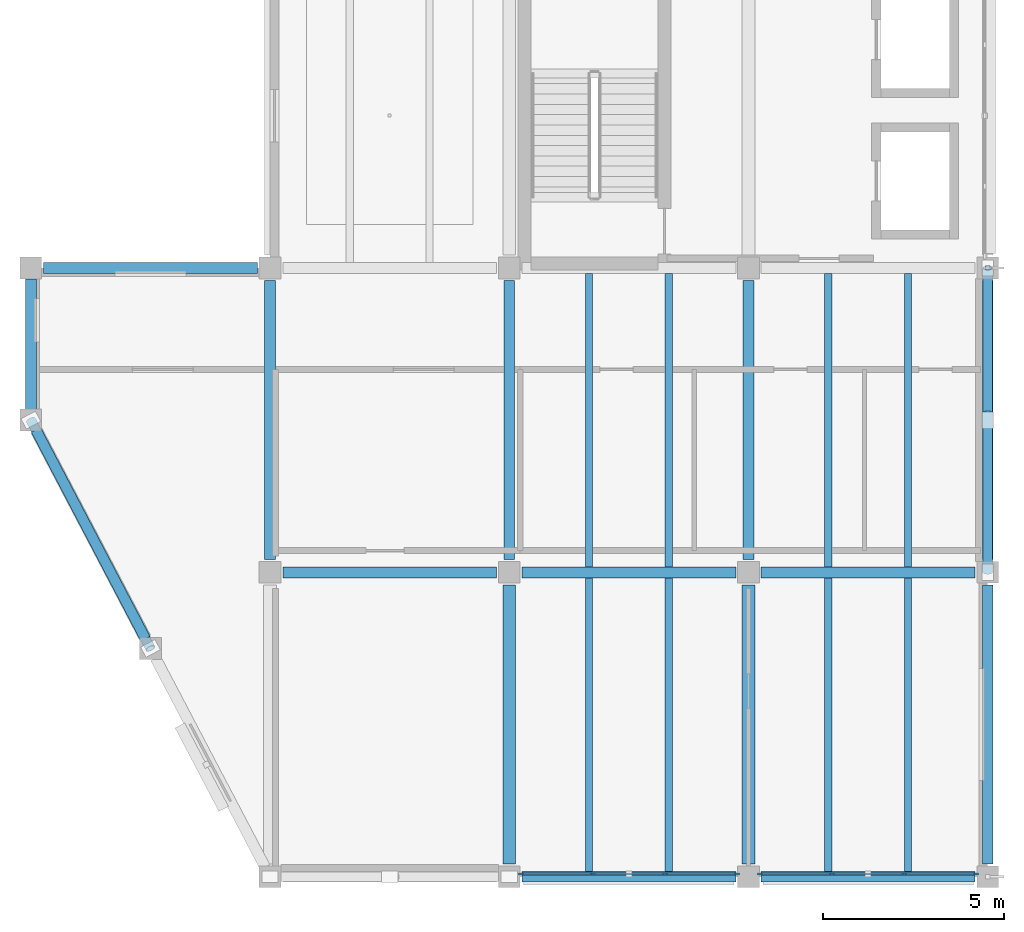
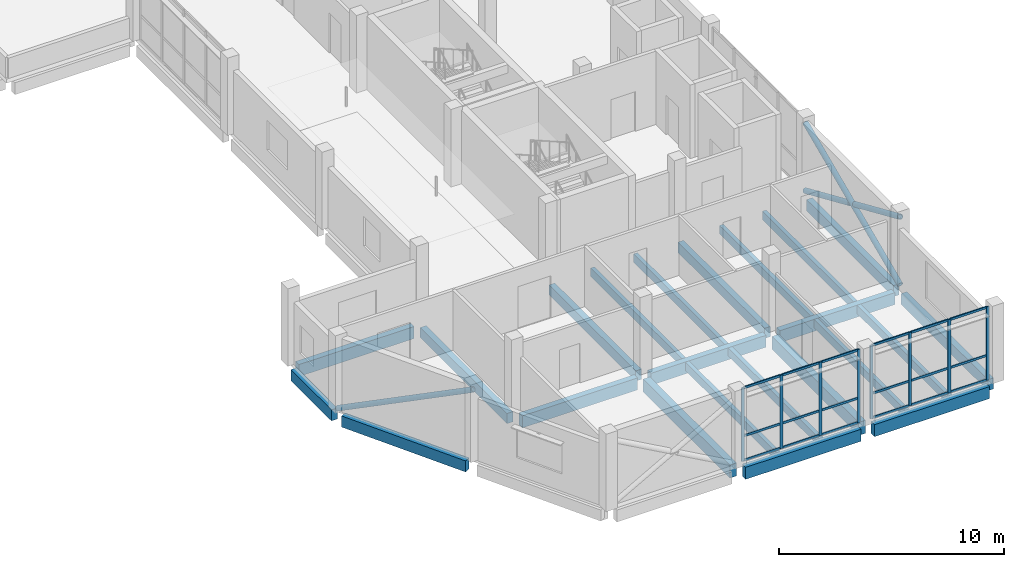
# One storey, part 2 of 12: 30 members, 23 beams, 2 elements without a shape of their own.
"""IFC4 building model written with IfcOpenShell, lengths in metres."""

from ifc_helpers import new_model, si_unit, direction, frame, origin, origin_2d, place, context, subcontext, project, spatial, rectangle, hollow_circle, extrude, material, material_profile, profile_set, type_object, element, aggregate, save


model = new_model("IFC4")

# Units and contexts
model_context = context("Model", 3, precision=1e-05, world=origin(), true_north=direction((0.0, 1.0)))
body_context = subcontext(model_context, "Body", "Model", "MODEL_VIEW")
ifc_project = project(units=[si_unit("LENGTHUNIT", "METRE"), si_unit("AREAUNIT", "SQUARE_METRE"), si_unit("VOLUMEUNIT", "CUBIC_METRE"), si_unit("PLANEANGLEUNIT", "RADIAN"), si_unit("MASSUNIT", "GRAM", prefix="KILO")], contexts=[model_context])

# Site, building, storey
site_placement = place(None, origin())
site = spatial("IfcSite", under=ifc_project, at=site_placement, CompositionType="ELEMENT")
building_placement = place(site_placement, origin())
building = spatial("IfcBuilding", under=site, at=building_placement, Name="Qaldarim Faculty of Natural and Applied Sciences", CompositionType="ELEMENT")
storey_placement = place(building_placement, frame((0.0, 0.0, 31.199951171875)))
storey = spatial("IfcBuildingStorey", under=building, at=storey_placement, Name="L07", CompositionType="ELEMENT", Elevation=31.199951171875)

# Beams
ifc_material_1 = material(Name="Concrete C40/50", Category="concrete")
ifc_material_profile_1 = material_profile(ifc_material_1, rectangle(XDim=0.300048828125, YDim=0.550048828125, at=origin_2d()), Name="RC-B300x550")
ifc_profile_set_1 = profile_set([ifc_material_profile_1], Name="Concrete C40/50")
beam_type_1 = type_object("IfcBeamType", Name="FloorBeam-RC300x550", PredefinedType="BEAM", material=ifc_profile_set_1)
for number, where, z_axis, x_axis, name in (
    (1, (158.39990234375, 8.75, -0.494873046875), (0.0, 1.0, 0.0), (-1.0, 0.0, 0.0), "Beam RC-B300x550 L06 X25/Y02-Y03"),
    (2, (165.0, 8.75, -0.494873046875), (0.0, 1.0, 0.0), (-1.0, 0.0, 0.0), "Beam RC-B300x550 L06 X26/Y02-Y03"),
    (3, (171.60009765625, 8.75, -0.494873046875), (0.0, 1.0, 0.0), (-1.0, 0.0, 0.0), "Beam RC-B300x550 L06 X27/Y02-Y03"),
):
    element("IfcBeam", number, at=place(storey_placement, frame(where, z_axis=z_axis, x_axis=x_axis)), inside=storey, type_object=beam_type_1, Name=name, PredefinedType="BEAM", context=body_context, shape_type="SweptSolid", body=[
        extrude(rectangle(XDim=0.300048828125, YDim=0.550048828125, at=origin_2d()), origin(), (0.0, 0.0, 1.0), 7.699951171875),
    ])
ifc_material_profile_2 = material_profile(ifc_material_1, rectangle(XDim=0.199951171875, YDim=0.449951171875, at=origin_2d()), Name="RC-J200x450")
ifc_profile_set_2 = profile_set([ifc_material_profile_2], Name="Concrete C40/50")
beam_type_2 = type_object("IfcBeamType", Name="LabJoist-RC200x450", PredefinedType="JOIST", material=ifc_profile_set_2)
for number, where, z_axis, x_axis, name in (
    (4, (167.199951171875, 0.14990234375, -0.445068359375), (0.0, 1.0, 0.0), (-1.0, 0.0, 0.0), "Laboratory joist L06 bay X26Y01-1"),
    (5, (169.39990234375, 0.14990234375, -0.445068359375), (0.0, 1.0, 0.0), (-1.0, 0.0, 0.0), "Laboratory joist L06 bay X26Y01-2"),
):
    element("IfcBeam", number, at=place(storey_placement, frame(where, z_axis=z_axis, x_axis=x_axis)), inside=storey, type_object=beam_type_2, Name=name, PredefinedType="JOIST", context=body_context, shape_type="SweptSolid", body=[
        extrude(rectangle(XDim=0.199951171875, YDim=0.449951171875, at=origin_2d()), origin(), (0.0, 0.0, 1.0), 8.10009765625),
    ])
for number, where, z_axis, x_axis, name in (
    (6, (167.199951171875, 8.550048828125, -0.445068359375), (0.0, 1.0, 0.0), (-1.0, 0.0, 0.0), "Laboratory joist L06 bay X26Y02-1"),
    (7, (169.39990234375, 8.550048828125, -0.445068359375), (0.0, 1.0, 0.0), (-1.0, 0.0, 0.0), "Laboratory joist L06 bay X26Y02-2"),
):
    element("IfcBeam", number, at=place(storey_placement, frame(where, z_axis=z_axis, x_axis=x_axis)), inside=storey, type_object=beam_type_2, Name=name, PredefinedType="JOIST", context=body_context, shape_type="SweptSolid", body=[
        extrude(rectangle(XDim=0.199951171875, YDim=0.449951171875, at=origin_2d()), origin(), (0.0, 0.0, 1.0), 8.099853515625),
    ])
for number, where, z_axis, x_axis, name in (
    (8, (173.800048828125, 0.14990234375, -0.445068359375), (0.0, 1.0, 0.0), (-1.0, 0.0, 0.0), "Laboratory joist L06 bay X27Y01-1"),
    (9, (176.0, 0.14990234375, -0.445068359375), (0.0, 1.0, 0.0), (-1.0, 0.0, 0.0), "Laboratory joist L06 bay X27Y01-2"),
):
    element("IfcBeam", number, at=place(storey_placement, frame(where, z_axis=z_axis, x_axis=x_axis)), inside=storey, type_object=beam_type_2, Name=name, PredefinedType="JOIST", context=body_context, shape_type="SweptSolid", body=[
        extrude(rectangle(XDim=0.199951171875, YDim=0.449951171875, at=origin_2d()), origin(), (0.0, 0.0, 1.0), 8.10009765625),
    ])
for number, where, z_axis, x_axis, name in (
    (10, (173.800048828125, 8.550048828125, -0.445068359375), (0.0, 1.0, 0.0), (-1.0, 0.0, 0.0), "Laboratory joist L06 bay X27Y02-1"),
    (11, (176.0, 8.550048828125, -0.445068359375), (0.0, 1.0, 0.0), (-1.0, 0.0, 0.0), "Laboratory joist L06 bay X27Y02-2"),
):
    element("IfcBeam", number, at=place(storey_placement, frame(where, z_axis=z_axis, x_axis=x_axis)), inside=storey, type_object=beam_type_2, Name=name, PredefinedType="JOIST", context=body_context, shape_type="SweptSolid", body=[
        extrude(rectangle(XDim=0.199951171875, YDim=0.449951171875, at=origin_2d()), origin(), (0.0, 0.0, 1.0), 8.099853515625),
    ])

# Curtain wall, members
ifc_material_2 = material(Name="Anodised aluminium AW-6063", Category="aluminium")
curtain_wall_type = type_object("IfcCurtainWallType", Name="CurtainWallSystem-M1800", PredefinedType="USERDEFINED", material=ifc_material_2)
curtain_wall_1_placement = place(storey_placement, origin())
curtain_wall_1 = element("IfcCurtainWall", 12, at=curtain_wall_1_placement, inside=storey, type_object=curtain_wall_type, Name="Curtain wall CW-L07-S-X26Y01", ObjectType="UNITISED FACADE", PredefinedType="USERDEFINED")
ifc_material_profile_3 = material_profile(ifc_material_2, rectangle(XDim=0.06005859375, YDim=0.14990234375, at=origin_2d()), Name="ALU-M60x150")
ifc_profile_set_3 = profile_set([ifc_material_profile_3], Name="Anodised aluminium AW-6063")
member_type_1 = type_object("IfcMemberType", Name="Mullion-ALU60x150", PredefinedType="MULLION", material=ifc_profile_set_3)
member_1_placement = place(storey_placement, frame((165.324951171875, 0.080078125, 0.0), z_axis=(0.0, 0.0, 1.0), x_axis=(0.0, 1.0, 0.0)))
member_1 = element("IfcMember", 13, at=member_1_placement, type_object=member_type_1, Name="Mullion 1 of CW-L07-S-X26Y01", PredefinedType="MULLION", context=body_context, shape_type="SweptSolid", body=[
    extrude(rectangle(XDim=0.06005859375, YDim=0.14990234375, at=origin_2d()), origin(), (0.0, 0.0, 1.0), 3.97998046875),
])
member_2_placement = place(storey_placement, frame((167.29833984375, 0.080078125, 0.0), z_axis=(0.0, 0.0, 1.0), x_axis=(0.0, 1.0, 0.0)))
member_2 = element("IfcMember", 14, at=member_2_placement, type_object=member_type_1, Name="Mullion 2 of CW-L07-S-X26Y01", PredefinedType="MULLION", context=body_context, shape_type="SweptSolid", body=[
    extrude(rectangle(XDim=0.06005859375, YDim=0.14990234375, at=origin_2d()), origin(), (0.0, 0.0, 1.0), 3.97998046875),
])
member_3_placement = place(storey_placement, frame((169.3017578125, 0.080078125, 0.0), z_axis=(0.0, 0.0, 1.0), x_axis=(0.0, 1.0, 0.0)))
member_3 = element("IfcMember", 15, at=member_3_placement, type_object=member_type_1, Name="Mullion 3 of CW-L07-S-X26Y01", PredefinedType="MULLION", context=body_context, shape_type="SweptSolid", body=[
    extrude(rectangle(XDim=0.06005859375, YDim=0.14990234375, at=origin_2d()), origin(), (0.0, 0.0, 1.0), 3.97998046875),
])
member_4_placement = place(storey_placement, frame((171.27490234375, 0.080078125, 0.0), z_axis=(0.0, 0.0, 1.0), x_axis=(0.0, 1.0, 0.0)))
member_4 = element("IfcMember", 16, at=member_4_placement, type_object=member_type_1, Name="Mullion 4 of CW-L07-S-X26Y01", PredefinedType="MULLION", context=body_context, shape_type="SweptSolid", body=[
    extrude(rectangle(XDim=0.06005859375, YDim=0.14990234375, at=origin_2d()), origin(), (0.0, 0.0, 1.0), 3.97998046875),
])

curtain_wall_2_placement = place(storey_placement, origin())
curtain_wall_2 = element("IfcCurtainWall", 17, at=curtain_wall_2_placement, inside=storey, type_object=curtain_wall_type, Name="Curtain wall CW-L07-S-X27Y01", ObjectType="UNITISED FACADE", PredefinedType="USERDEFINED")
member_5_placement = place(storey_placement, frame((171.925048828125, 0.080078125, 0.0), z_axis=(0.0, 0.0, 1.0), x_axis=(0.0, 1.0, 0.0)))
member_5 = element("IfcMember", 18, at=member_5_placement, type_object=member_type_1, Name="Mullion 1 of CW-L07-S-X27Y01", PredefinedType="MULLION", context=body_context, shape_type="SweptSolid", body=[
    extrude(rectangle(XDim=0.06005859375, YDim=0.14990234375, at=origin_2d()), origin(), (0.0, 0.0, 1.0), 3.97998046875),
])
member_6_placement = place(storey_placement, frame((173.898193359375, 0.080078125, 0.0), z_axis=(0.0, 0.0, 1.0), x_axis=(0.0, 1.0, 0.0)))
member_6 = element("IfcMember", 19, at=member_6_placement, type_object=member_type_1, Name="Mullion 2 of CW-L07-S-X27Y01", PredefinedType="MULLION", context=body_context, shape_type="SweptSolid", body=[
    extrude(rectangle(XDim=0.06005859375, YDim=0.14990234375, at=origin_2d()), origin(), (0.0, 0.0, 1.0), 3.97998046875),
])
member_7_placement = place(storey_placement, frame((175.901611328125, 0.080078125, 0.0), z_axis=(0.0, 0.0, 1.0), x_axis=(0.0, 1.0, 0.0)))
member_7 = element("IfcMember", 20, at=member_7_placement, type_object=member_type_1, Name="Mullion 3 of CW-L07-S-X27Y01", PredefinedType="MULLION", context=body_context, shape_type="SweptSolid", body=[
    extrude(rectangle(XDim=0.06005859375, YDim=0.14990234375, at=origin_2d()), origin(), (0.0, 0.0, 1.0), 3.97998046875),
])
member_8_placement = place(storey_placement, frame((177.875, 0.080078125, 0.0), z_axis=(0.0, 0.0, 1.0), x_axis=(0.0, 1.0, 0.0)))
member_8 = element("IfcMember", 21, at=member_8_placement, type_object=member_type_1, Name="Mullion 4 of CW-L07-S-X27Y01", PredefinedType="MULLION", context=body_context, shape_type="SweptSolid", body=[
    extrude(rectangle(XDim=0.06005859375, YDim=0.14990234375, at=origin_2d()), origin(), (0.0, 0.0, 1.0), 3.97998046875),
])

# Members
ifc_material_3 = material(Name="Structural steel S355", Category="steel")
ifc_material_profile_4 = material_profile(ifc_material_3, hollow_circle(Radius=0.136474609375, WallThickness=0.01611328125, at=origin_2d()), Name="CHS 273.0x16.0")
ifc_profile_set_4 = profile_set([ifc_material_profile_4], Name="Structural steel S355")
member_type_2 = type_object("IfcMemberType", Name="PortalBrace-CHS273x16", PredefinedType="BRACE", material=ifc_profile_set_4)
member_9_placement = place(storey_placement, frame((178.199951171875, 8.39990234375, 0.0), z_axis=(0.0, 0.915962323067, 0.401264280396), x_axis=(-1.0, 0.0, 0.0)))
element("IfcMember", 22, at=member_9_placement, inside=storey, type_object=member_type_2, Name="East diagrid L07 primary brace L", PredefinedType="BRACE", context=body_context, shape_type="SweptSolid", body=[
    extrude(hollow_circle(Radius=0.136474609375, WallThickness=0.01611328125, at=origin_2d()), origin(), (0.0, 0.0, 1.0), 9.1708984375),
])
for number, where, z_axis, x_axis, name in (
    (23, (178.199951171875, 16.800048828125, 0.0), (0.0, -0.916157334902, 0.40081883402), (1.0, 0.0, 0.0), "East diagrid L07 split secondary lower brace R1"),
    (24, (178.199951171875, 12.39990234375, 1.929931640625), (0.0, -0.916157334902, 0.40081883402), (1.0, 0.0, 0.0), "East diagrid L07 split secondary upper brace R2"),
):
    element("IfcMember", number, at=place(storey_placement, frame(where, z_axis=z_axis, x_axis=x_axis)), inside=storey, type_object=member_type_2, Name=name, PredefinedType="BRACE", context=body_context, shape_type="SweptSolid", body=[
        extrude(hollow_circle(Radius=0.136474609375, WallThickness=0.01611328125, at=origin_2d()), origin(), (0.0, 0.0, 1.0), 4.365966796875),
    ])
member_10_placement = place(storey_placement, frame((151.800048828125, 12.60009765625, 0.0), z_axis=(0.412110813577, -0.786751464404, 0.459550661615), x_axis=(0.885830191482, 0.464009560095, 0.0)))
element("IfcMember", 25, at=member_10_placement, inside=storey, type_object=member_type_2, Name="Oblique SW chamfer exoskeleton brace L07 1", PredefinedType="BRACE", context=body_context, shape_type="SweptSolid", body=[
    extrude(hollow_circle(Radius=0.136474609375, WallThickness=0.01611328125, at=origin_2d()), origin(), (0.0, 0.0, 1.0), 8.007568359375),
])

# Beams
ifc_material_profile_5 = material_profile(ifc_material_1, rectangle(XDim=0.300048828125, YDim=0.64990234375, at=origin_2d()), Name="RC-B300x650")
ifc_profile_set_5 = profile_set([ifc_material_profile_5], Name="Concrete C40/50")
beam_type_3 = type_object("IfcBeamType", Name="PrimaryBeam-RC300x650", PredefinedType="BEAM", material=ifc_profile_set_5)
beam_1_placement = place(storey_placement, frame((165.35009765625, 0.0, -0.544921875), z_axis=(1.0, 0.0, 0.0), x_axis=(0.0, 1.0, 0.0)))
element("IfcBeam", 26, at=beam_1_placement, inside=storey, type_object=beam_type_3, Name="Beam RC-B300x650 L06 X26-X27/Y01", PredefinedType="BEAM", context=body_context, shape_type="SweptSolid", body=[
    extrude(rectangle(XDim=0.300048828125, YDim=0.64990234375, at=origin_2d()), origin(), (0.0, 0.0, 1.0), 5.89990234375),
])
beam_2_placement = place(storey_placement, frame((171.949951171875, 0.0, -0.544921875), z_axis=(1.0, 0.0, 0.0), x_axis=(0.0, 1.0, 0.0)))
element("IfcBeam", 27, at=beam_2_placement, inside=storey, type_object=beam_type_3, Name="Beam RC-B300x650 L06 X27-X28/Y01", PredefinedType="BEAM", context=body_context, shape_type="SweptSolid", body=[
    extrude(rectangle(XDim=0.300048828125, YDim=0.64990234375, at=origin_2d()), origin(), (0.0, 0.0, 1.0), 5.900146484375),
])
for number, where, z_axis, x_axis, name in (
    (28, (158.75, 8.39990234375, -0.544921875), (1.0, 0.0, 0.0), (0.0, 1.0, 0.0), "Beam RC-B300x650 L06 X25-X26/Y02"),
    (29, (165.35009765625, 8.39990234375, -0.544921875), (1.0, 0.0, 0.0), (0.0, 1.0, 0.0), "Beam RC-B300x650 L06 X26-X27/Y02"),
):
    element("IfcBeam", number, at=place(storey_placement, frame(where, z_axis=z_axis, x_axis=x_axis)), inside=storey, type_object=beam_type_3, Name=name, PredefinedType="BEAM", context=body_context, shape_type="SweptSolid", body=[
        extrude(rectangle(XDim=0.300048828125, YDim=0.64990234375, at=origin_2d()), origin(), (0.0, 0.0, 1.0), 5.89990234375),
    ])
for number, where, z_axis, x_axis, name in (
    (30, (171.949951171875, 8.39990234375, -0.544921875), (1.0, 0.0, 0.0), (0.0, 1.0, 0.0), "Beam RC-B300x650 L06 X27-X28/Y02"),
    (31, (152.14990234375, 16.800048828125, -0.544921875), (1.0, 0.0, 0.0), (0.0, 1.0, 0.0), "Beam RC-B300x650 L06 X24-X25/Y03"),
):
    element("IfcBeam", number, at=place(storey_placement, frame(where, z_axis=z_axis, x_axis=x_axis)), inside=storey, type_object=beam_type_3, Name=name, PredefinedType="BEAM", context=body_context, shape_type="SweptSolid", body=[
        extrude(rectangle(XDim=0.300048828125, YDim=0.64990234375, at=origin_2d()), origin(), (0.0, 0.0, 1.0), 5.900146484375),
    ])
ifc_material_profile_6 = material_profile(ifc_material_1, rectangle(XDim=0.35009765625, YDim=0.699951171875, at=origin_2d()), Name="RC-B350x700")
ifc_profile_set_6 = profile_set([ifc_material_profile_6], Name="Concrete C40/50")
beam_type_4 = type_object("IfcBeamType", Name="PrimaryGirder-RC350x700", PredefinedType="BEAM", material=ifc_profile_set_6)
for number, where, z_axis, x_axis, name in (
    (32, (165.0, 0.35009765625, -0.570068359375), (0.0, 1.0, 0.0), (-1.0, 0.0, 0.0), "Beam RC-B350x700 L06 X26/Y01-Y02"),
    (33, (171.60009765625, 0.35009765625, -0.570068359375), (0.0, 1.0, 0.0), (-1.0, 0.0, 0.0), "Beam RC-B350x700 L06 X27/Y01-Y02"),
):
    element("IfcBeam", number, at=place(storey_placement, frame(where, z_axis=z_axis, x_axis=x_axis)), inside=storey, type_object=beam_type_4, Name=name, PredefinedType="BEAM", context=body_context, shape_type="SweptSolid", body=[
        extrude(rectangle(XDim=0.35009765625, YDim=0.699951171875, at=origin_2d()), origin(), (0.0, 0.0, 1.0), 7.699951171875),
    ])
ifc_material_4 = material(Name="Precast concrete C40/50", Category="concrete")
ifc_material_profile_7 = material_profile(ifc_material_4, rectangle(XDim=0.300048828125, YDim=0.60009765625, at=origin_2d()), Name="RC-SP300x600")
ifc_profile_set_7 = profile_set([ifc_material_profile_7], Name="Precast concrete C40/50")
beam_type_5 = type_object("IfcBeamType", Name="SpandrelBeam-RC300x600", PredefinedType="SPANDREL", material=ifc_profile_set_7)
for number, where, z_axis, x_axis, name in (
    (34, (178.199951171875, 0.35009765625, -0.52001953125), (0.0, 1.0, 0.0), (-1.0, 0.0, 0.0), "Beam RC-SP300x600 L06 X28/Y01-Y02"),
    (35, (178.199951171875, 8.75, -0.52001953125), (0.0, 1.0, 0.0), (-1.0, 0.0, 0.0), "Beam RC-SP300x600 L06 X28/Y02-Y03"),
):
    element("IfcBeam", number, at=place(storey_placement, frame(where, z_axis=z_axis, x_axis=x_axis)), inside=storey, type_object=beam_type_5, Name=name, PredefinedType="SPANDREL", context=body_context, shape_type="SweptSolid", body=[
        extrude(rectangle(XDim=0.300048828125, YDim=0.60009765625, at=origin_2d()), origin(), (0.0, 0.0, 1.0), 7.699951171875),
    ])
beam_3_placement = place(storey_placement, frame((151.800048828125, 16.5, -0.52001953125), z_axis=(0.0, -1.0, 0.0), x_axis=(1.0, 0.0, 0.0)))
element("IfcBeam", 36, at=beam_3_placement, inside=storey, type_object=beam_type_5, Name="Oblique SW chamfer spandrel L06 1", PredefinedType="SPANDREL", context=body_context, shape_type="SweptSolid", body=[
    extrude(rectangle(XDim=0.300048828125, YDim=0.60009765625, at=origin_2d()), origin(), (0.0, 0.0, 1.0), 3.60009765625),
])
beam_4_placement = place(storey_placement, frame((151.93994140625, 12.330078125, -0.52001953125), z_axis=(0.464353423794, -0.885649986061, 0.0), x_axis=(0.885649986061, 0.464353423794, 0.0)))
element("IfcBeam", 37, at=beam_4_placement, inside=storey, type_object=beam_type_5, Name="Oblique SW chamfer spandrel L06 2", PredefinedType="SPANDREL", context=body_context, shape_type="SweptSolid", body=[
    extrude(rectangle(XDim=0.300048828125, YDim=0.60009765625, at=origin_2d()), origin(), (0.0, 0.0, 1.0), 6.503662109375),
])

# Member
ifc_material_profile_8 = material_profile(ifc_material_2, rectangle(XDim=0.06005859375, YDim=0.1201171875, at=origin_2d()), Name="ALU-T60x120")
ifc_profile_set_8 = profile_set([ifc_material_profile_8], Name="Anodised aluminium AW-6063")
member_type_3 = type_object("IfcMemberType", Name="Transom-ALU60x120", PredefinedType="USERDEFINED", material=ifc_profile_set_8)
member_11_placement = place(storey_placement, frame((165.35498046875, 0.080078125, 0.030029296875), z_axis=(1.0, 0.0, 0.0), x_axis=(0.0, 1.0, 0.0)))
member_11 = element("IfcMember", 38, at=member_11_placement, type_object=member_type_3, Name="Transom 1-1 of CW-L07-S-X26Y01", ObjectType="TRANSOM", PredefinedType="USERDEFINED", context=body_context, shape_type="SweptSolid", body=[
    extrude(rectangle(XDim=0.06005859375, YDim=0.1201171875, at=origin_2d()), origin(), (0.0, 0.0, 1.0), 1.913330078125),
])

member_12_placement = place(storey_placement, frame((165.35498046875, 0.080078125, 1.35009765625), z_axis=(1.0, 0.0, 0.0), x_axis=(0.0, 1.0, 0.0)))
member_12 = element("IfcMember", 39, at=member_12_placement, type_object=member_type_3, Name="Transom 1-2 of CW-L07-S-X26Y01", ObjectType="TRANSOM", PredefinedType="USERDEFINED", context=body_context, shape_type="SweptSolid", body=[
    extrude(rectangle(XDim=0.06005859375, YDim=0.1201171875, at=origin_2d()), origin(), (0.0, 0.0, 1.0), 1.913330078125),
])

member_13_placement = place(storey_placement, frame((165.35498046875, 0.080078125, 3.949951171875), z_axis=(1.0, 0.0, 0.0), x_axis=(0.0, 1.0, 0.0)))
member_13 = element("IfcMember", 40, at=member_13_placement, type_object=member_type_3, Name="Transom 1-3 of CW-L07-S-X26Y01", ObjectType="TRANSOM", PredefinedType="USERDEFINED", context=body_context, shape_type="SweptSolid", body=[
    extrude(rectangle(XDim=0.06005859375, YDim=0.1201171875, at=origin_2d()), origin(), (0.0, 0.0, 1.0), 1.913330078125),
])

member_14_placement = place(storey_placement, frame((167.328369140625, 0.080078125, 0.030029296875), z_axis=(1.0, 0.0, 0.0), x_axis=(0.0, 1.0, 0.0)))
member_14 = element("IfcMember", 41, at=member_14_placement, type_object=member_type_3, Name="Transom 2-1 of CW-L07-S-X26Y01", ObjectType="TRANSOM", PredefinedType="USERDEFINED", context=body_context, shape_type="SweptSolid", body=[
    extrude(rectangle(XDim=0.06005859375, YDim=0.1201171875, at=origin_2d()), origin(), (0.0, 0.0, 1.0), 1.943359375),
])

member_15_placement = place(storey_placement, frame((167.328369140625, 0.080078125, 1.35009765625), z_axis=(1.0, 0.0, 0.0), x_axis=(0.0, 1.0, 0.0)))
member_15 = element("IfcMember", 42, at=member_15_placement, type_object=member_type_3, Name="Transom 2-2 of CW-L07-S-X26Y01", ObjectType="TRANSOM", PredefinedType="USERDEFINED", context=body_context, shape_type="SweptSolid", body=[
    extrude(rectangle(XDim=0.06005859375, YDim=0.1201171875, at=origin_2d()), origin(), (0.0, 0.0, 1.0), 1.943359375),
])

member_16_placement = place(storey_placement, frame((167.328369140625, 0.080078125, 3.949951171875), z_axis=(1.0, 0.0, 0.0), x_axis=(0.0, 1.0, 0.0)))
member_16 = element("IfcMember", 43, at=member_16_placement, type_object=member_type_3, Name="Transom 2-3 of CW-L07-S-X26Y01", ObjectType="TRANSOM", PredefinedType="USERDEFINED", context=body_context, shape_type="SweptSolid", body=[
    extrude(rectangle(XDim=0.06005859375, YDim=0.1201171875, at=origin_2d()), origin(), (0.0, 0.0, 1.0), 1.943359375),
])

member_17_placement = place(storey_placement, frame((169.331787109375, 0.080078125, 0.030029296875), z_axis=(1.0, 0.0, 0.0), x_axis=(0.0, 1.0, 0.0)))
member_17 = element("IfcMember", 44, at=member_17_placement, type_object=member_type_3, Name="Transom 3-1 of CW-L07-S-X26Y01", ObjectType="TRANSOM", PredefinedType="USERDEFINED", context=body_context, shape_type="SweptSolid", body=[
    extrude(rectangle(XDim=0.06005859375, YDim=0.1201171875, at=origin_2d()), origin(), (0.0, 0.0, 1.0), 1.913330078125),
])

member_18_placement = place(storey_placement, frame((169.331787109375, 0.080078125, 1.35009765625), z_axis=(1.0, 0.0, 0.0), x_axis=(0.0, 1.0, 0.0)))
member_18 = element("IfcMember", 45, at=member_18_placement, type_object=member_type_3, Name="Transom 3-2 of CW-L07-S-X26Y01", ObjectType="TRANSOM", PredefinedType="USERDEFINED", context=body_context, shape_type="SweptSolid", body=[
    extrude(rectangle(XDim=0.06005859375, YDim=0.1201171875, at=origin_2d()), origin(), (0.0, 0.0, 1.0), 1.913330078125),
])

member_19_placement = place(storey_placement, frame((169.331787109375, 0.080078125, 3.949951171875), z_axis=(1.0, 0.0, 0.0), x_axis=(0.0, 1.0, 0.0)))
member_19 = element("IfcMember", 46, at=member_19_placement, type_object=member_type_3, Name="Transom 3-3 of CW-L07-S-X26Y01", ObjectType="TRANSOM", PredefinedType="USERDEFINED", context=body_context, shape_type="SweptSolid", body=[
    extrude(rectangle(XDim=0.06005859375, YDim=0.1201171875, at=origin_2d()), origin(), (0.0, 0.0, 1.0), 1.913330078125),
])

aggregate(curtain_wall_1, [member_1, member_2, member_3, member_4, member_11, member_12, member_13, member_14, member_15, member_16, member_17, member_18, member_19])

member_20_placement = place(storey_placement, frame((171.955078125, 0.080078125, 0.030029296875), z_axis=(1.0, 0.0, 0.0), x_axis=(0.0, 1.0, 0.0)))
member_20 = element("IfcMember", 47, at=member_20_placement, type_object=member_type_3, Name="Transom 1-1 of CW-L07-S-X27Y01", ObjectType="TRANSOM", PredefinedType="USERDEFINED", context=body_context, shape_type="SweptSolid", body=[
    extrude(rectangle(XDim=0.06005859375, YDim=0.1201171875, at=origin_2d()), origin(), (0.0, 0.0, 1.0), 1.913330078125),
])

member_21_placement = place(storey_placement, frame((171.955078125, 0.080078125, 1.35009765625), z_axis=(1.0, 0.0, 0.0), x_axis=(0.0, 1.0, 0.0)))
member_21 = element("IfcMember", 48, at=member_21_placement, type_object=member_type_3, Name="Transom 1-2 of CW-L07-S-X27Y01", ObjectType="TRANSOM", PredefinedType="USERDEFINED", context=body_context, shape_type="SweptSolid", body=[
    extrude(rectangle(XDim=0.06005859375, YDim=0.1201171875, at=origin_2d()), origin(), (0.0, 0.0, 1.0), 1.913330078125),
])

member_22_placement = place(storey_placement, frame((171.955078125, 0.080078125, 3.949951171875), z_axis=(1.0, 0.0, 0.0), x_axis=(0.0, 1.0, 0.0)))
member_22 = element("IfcMember", 49, at=member_22_placement, type_object=member_type_3, Name="Transom 1-3 of CW-L07-S-X27Y01", ObjectType="TRANSOM", PredefinedType="USERDEFINED", context=body_context, shape_type="SweptSolid", body=[
    extrude(rectangle(XDim=0.06005859375, YDim=0.1201171875, at=origin_2d()), origin(), (0.0, 0.0, 1.0), 1.913330078125),
])

member_23_placement = place(storey_placement, frame((173.92822265625, 0.080078125, 0.030029296875), z_axis=(1.0, 0.0, 0.0), x_axis=(0.0, 1.0, 0.0)))
member_23 = element("IfcMember", 50, at=member_23_placement, type_object=member_type_3, Name="Transom 2-1 of CW-L07-S-X27Y01", ObjectType="TRANSOM", PredefinedType="USERDEFINED", context=body_context, shape_type="SweptSolid", body=[
    extrude(rectangle(XDim=0.06005859375, YDim=0.1201171875, at=origin_2d()), origin(), (0.0, 0.0, 1.0), 1.943359375),
])

member_24_placement = place(storey_placement, frame((173.92822265625, 0.080078125, 1.35009765625), z_axis=(1.0, 0.0, 0.0), x_axis=(0.0, 1.0, 0.0)))
member_24 = element("IfcMember", 51, at=member_24_placement, type_object=member_type_3, Name="Transom 2-2 of CW-L07-S-X27Y01", ObjectType="TRANSOM", PredefinedType="USERDEFINED", context=body_context, shape_type="SweptSolid", body=[
    extrude(rectangle(XDim=0.06005859375, YDim=0.1201171875, at=origin_2d()), origin(), (0.0, 0.0, 1.0), 1.943359375),
])

member_25_placement = place(storey_placement, frame((173.92822265625, 0.080078125, 3.949951171875), z_axis=(1.0, 0.0, 0.0), x_axis=(0.0, 1.0, 0.0)))
member_25 = element("IfcMember", 52, at=member_25_placement, type_object=member_type_3, Name="Transom 2-3 of CW-L07-S-X27Y01", ObjectType="TRANSOM", PredefinedType="USERDEFINED", context=body_context, shape_type="SweptSolid", body=[
    extrude(rectangle(XDim=0.06005859375, YDim=0.1201171875, at=origin_2d()), origin(), (0.0, 0.0, 1.0), 1.943359375),
])

member_26_placement = place(storey_placement, frame((175.931640625, 0.080078125, 0.030029296875), z_axis=(1.0, 0.0, 0.0), x_axis=(0.0, 1.0, 0.0)))
member_26 = element("IfcMember", 53, at=member_26_placement, type_object=member_type_3, Name="Transom 3-1 of CW-L07-S-X27Y01", ObjectType="TRANSOM", PredefinedType="USERDEFINED", context=body_context, shape_type="SweptSolid", body=[
    extrude(rectangle(XDim=0.06005859375, YDim=0.1201171875, at=origin_2d()), origin(), (0.0, 0.0, 1.0), 1.913330078125),
])

member_27_placement = place(storey_placement, frame((175.931640625, 0.080078125, 1.35009765625), z_axis=(1.0, 0.0, 0.0), x_axis=(0.0, 1.0, 0.0)))
member_27 = element("IfcMember", 54, at=member_27_placement, type_object=member_type_3, Name="Transom 3-2 of CW-L07-S-X27Y01", ObjectType="TRANSOM", PredefinedType="USERDEFINED", context=body_context, shape_type="SweptSolid", body=[
    extrude(rectangle(XDim=0.06005859375, YDim=0.1201171875, at=origin_2d()), origin(), (0.0, 0.0, 1.0), 1.913330078125),
])

member_28_placement = place(storey_placement, frame((175.931640625, 0.080078125, 3.949951171875), z_axis=(1.0, 0.0, 0.0), x_axis=(0.0, 1.0, 0.0)))
member_28 = element("IfcMember", 55, at=member_28_placement, type_object=member_type_3, Name="Transom 3-3 of CW-L07-S-X27Y01", ObjectType="TRANSOM", PredefinedType="USERDEFINED", context=body_context, shape_type="SweptSolid", body=[
    extrude(rectangle(XDim=0.06005859375, YDim=0.1201171875, at=origin_2d()), origin(), (0.0, 0.0, 1.0), 1.913330078125),
])

aggregate(curtain_wall_2, [member_5, member_6, member_7, member_8, member_20, member_21, member_22, member_23, member_24, member_25, member_26, member_27, member_28])

save(model, "model.ifc")
